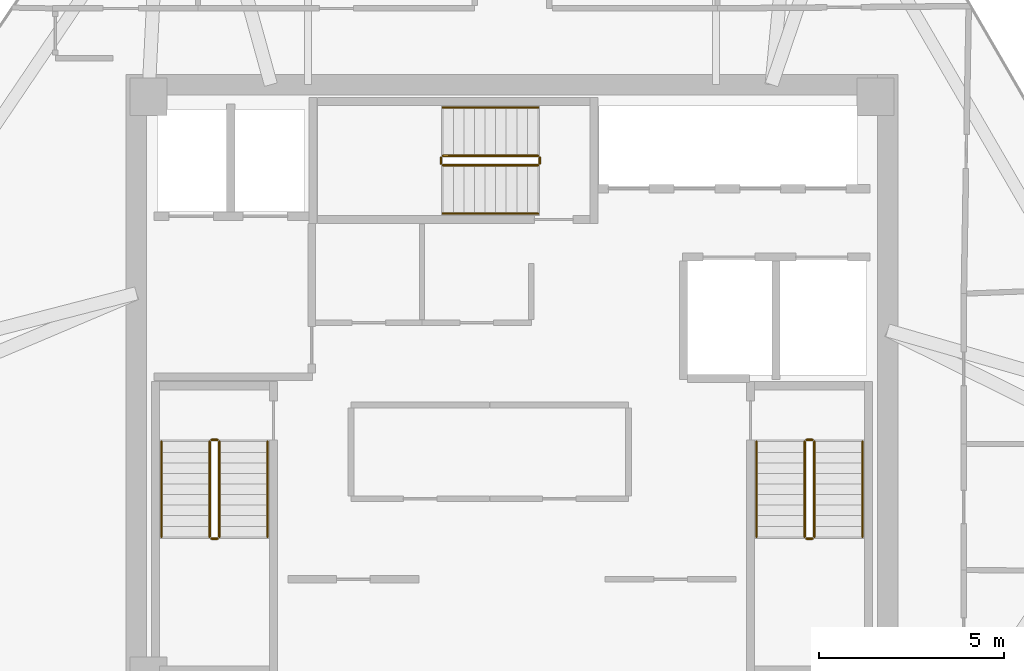
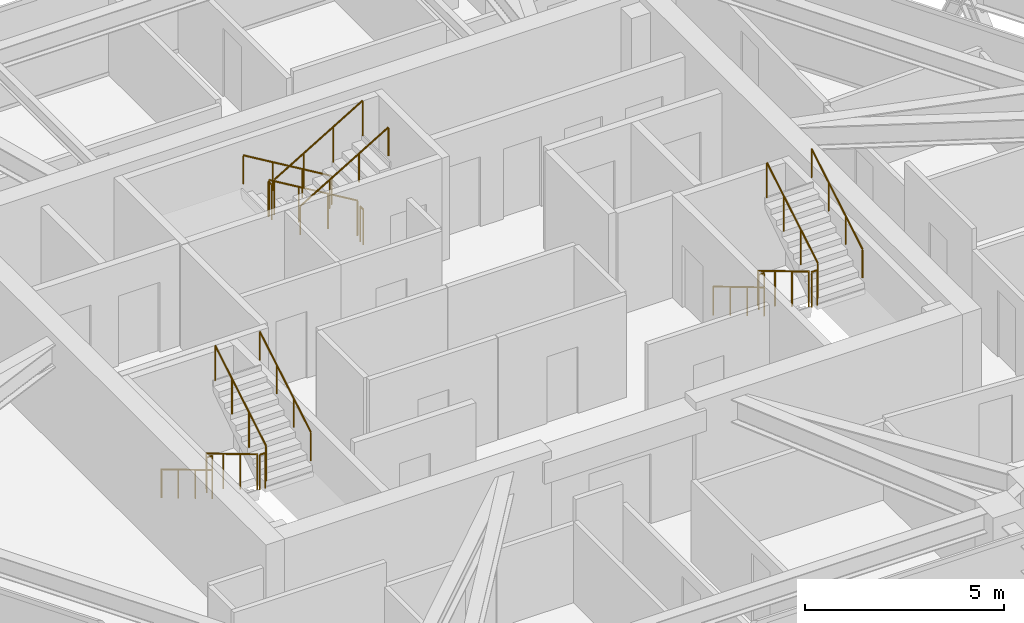
# One storey, part 13 of 13: 18 railings.
"""IFC4 building model written with IfcOpenShell, lengths in metres."""

from ifc_helpers import new_model, si_unit, direction, frame, origin, origin_2d, place, context, subcontext, project, spatial, circle, extrude, material, type_object, element, save


model = new_model("IFC4")

# Units and contexts
model_context = context("Model", 3, precision=1e-05, world=origin(), true_north=direction((0.0, 1.0)))
body_context = subcontext(model_context, "Body", "Model", "MODEL_VIEW")
ifc_project = project(units=[si_unit("LENGTHUNIT", "METRE"), si_unit("AREAUNIT", "SQUARE_METRE"), si_unit("VOLUMEUNIT", "CUBIC_METRE"), si_unit("PLANEANGLEUNIT", "RADIAN"), si_unit("MASSUNIT", "GRAM", prefix="KILO")], contexts=[model_context])

# Site, building, storey
site_placement = place(None, origin())
site = spatial("IfcSite", under=ifc_project, at=site_placement, CompositionType="ELEMENT")
building_placement = place(site_placement, origin())
building = spatial("IfcBuilding", under=site, at=building_placement, Name="Durnholm Broadcast Tower", CompositionType="ELEMENT")
storey_placement = place(building_placement, frame((0.0, 0.0, 254.699951171875)))
storey = spatial("IfcBuildingStorey", under=building, at=storey_placement, Name="L71", CompositionType="ELEMENT", Elevation=254.699951171875)

# Railings
ifc_material_1 = material(Name="Painted Tubular Steel Stair Guardrail", Category="steel")
railing_type_1 = type_object("IfcRailingType", Name="RAIL-ST-GRD", PredefinedType="GUARDRAIL", material=ifc_material_1)
railing_1_placement = place(storey_placement, frame((-8.14990234375, -1.5, 0.170166015625)))
element("IfcRailing", 1, at=railing_1_placement, inside=storey, type_object=railing_type_1, Name="L71 ST-1 stair guard 1", PredefinedType="GUARDRAIL", context=body_context, shape_type="SweptSolid", body=[
    extrude(circle(Radius=0.02392578125, at=origin_2d()), frame((0.0, 0.0, 1.076171875), z_axis=(0.0, -0.858846004692, 0.512233872587), x_axis=(1.0, 0.0, 0.0)), (0.0, 0.0, 1.0), 2.986572265625),
    extrude(circle(Radius=0.02099609375, at=origin_2d()), origin(), (0.0, 0.0, 1.0), 1.052001953125),
    extrude(circle(Radius=0.02099609375, at=origin_2d()), frame((0.0, -0.85498046875, 0.510009765625)), (0.0, 0.0, 1.0), 1.052001953125),
    extrude(circle(Radius=0.02099609375, at=origin_2d()), frame((0.0, -1.7099609375, 1.019775390625)), (0.0, 0.0, 1.0), 1.052001953125),
    extrude(circle(Radius=0.02099609375, at=origin_2d()), frame((0.0, -2.56494140625, 1.52978515625)), (0.0, 0.0, 1.0), 1.052001953125),
])
railing_2_placement = place(storey_placement, frame((-8.10009765625, -4.114990234375, 1.699951171875)))
element("IfcRailing", 2, at=railing_2_placement, inside=storey, type_object=railing_type_1, Name="L71 ST-1 stair guard 2", PredefinedType="GUARDRAIL", context=body_context, shape_type="SweptSolid", body=[
    extrude(circle(Radius=0.02392578125, at=origin_2d()), frame((0.0, 0.0, 1.076171875), z_axis=(1.0, 0.0, 0.0), x_axis=(0.0, 1.0, 0.0)), (0.0, 0.0, 1.0), 0.16015625),
    extrude(circle(Radius=0.02099609375, at=origin_2d()), origin(), (0.0, 0.0, 1.0), 1.052001953125),
    extrude(circle(Radius=0.02099609375, at=origin_2d()), frame((0.16015625, 0.0, 0.0)), (0.0, 0.0, 1.0), 1.052001953125),
])
railing_3_placement = place(storey_placement, frame((-7.889892578125, -4.06494140625, 1.8701171875)))
element("IfcRailing", 3, at=railing_3_placement, inside=storey, type_object=railing_type_1, Name="L71 ST-1 stair guard 3", PredefinedType="GUARDRAIL", context=body_context, shape_type="SweptSolid", body=[
    extrude(circle(Radius=0.02392578125, at=origin_2d()), frame((0.0, 0.0, 1.076171875), z_axis=(0.0, 0.858810040619, 0.512294167576), x_axis=(-1.0, 0.0, 0.0)), (0.0, 0.0, 1.0), 2.986572265625),
    extrude(circle(Radius=0.02099609375, at=origin_2d()), origin(), (0.0, 0.0, 1.0), 1.052001953125),
    extrude(circle(Radius=0.02099609375, at=origin_2d()), frame((0.0, 0.85498046875, 0.510009765625)), (0.0, 0.0, 1.0), 1.052001953125),
    extrude(circle(Radius=0.02099609375, at=origin_2d()), frame((0.0, 1.7099609375, 1.02001953125)), (0.0, 0.0, 1.0), 1.052001953125),
    extrude(circle(Radius=0.02099609375, at=origin_2d()), frame((0.0, 2.56494140625, 1.530029296875)), (0.0, 0.0, 1.0), 1.052001953125),
])
railing_4_placement = place(storey_placement, frame((-8.10009765625, -1.449951171875, 0.0)))
element("IfcRailing", 4, at=railing_4_placement, inside=storey, type_object=railing_type_1, Name="L71 ST-1 stair guard 4", PredefinedType="GUARDRAIL", context=body_context, shape_type="SweptSolid", body=[
    extrude(circle(Radius=0.02392578125, at=origin_2d()), frame((0.0, 0.0, 1.076171875), z_axis=(1.0, 0.0, 0.0), x_axis=(0.0, 1.0, 0.0)), (0.0, 0.0, 1.0), 0.16015625),
    extrude(circle(Radius=0.02099609375, at=origin_2d()), origin(), (0.0, 0.0, 1.0), 1.052001953125),
    extrude(circle(Radius=0.02099609375, at=origin_2d()), frame((0.16015625, 0.0, 0.0)), (0.0, 0.0, 1.0), 1.052001953125),
])
railing_5_placement = place(storey_placement, frame((7.889892578125, -1.5, 0.170166015625)))
element("IfcRailing", 5, at=railing_5_placement, inside=storey, type_object=railing_type_1, Name="L71 ST-2 stair guard 1", PredefinedType="GUARDRAIL", context=body_context, shape_type="SweptSolid", body=[
    extrude(circle(Radius=0.02392578125, at=origin_2d()), frame((0.0, 0.0, 1.076171875), z_axis=(0.0, -0.858846004692, 0.512233872587), x_axis=(1.0, 0.0, 0.0)), (0.0, 0.0, 1.0), 2.986572265625),
    extrude(circle(Radius=0.02099609375, at=origin_2d()), origin(), (0.0, 0.0, 1.0), 1.052001953125),
    extrude(circle(Radius=0.02099609375, at=origin_2d()), frame((0.0, -0.85498046875, 0.510009765625)), (0.0, 0.0, 1.0), 1.052001953125),
    extrude(circle(Radius=0.02099609375, at=origin_2d()), frame((0.0, -1.7099609375, 1.019775390625)), (0.0, 0.0, 1.0), 1.052001953125),
    extrude(circle(Radius=0.02099609375, at=origin_2d()), frame((0.0, -2.56494140625, 1.52978515625)), (0.0, 0.0, 1.0), 1.052001953125),
])
railing_6_placement = place(storey_placement, frame((7.93994140625, -4.114990234375, 1.699951171875)))
element("IfcRailing", 6, at=railing_6_placement, inside=storey, type_object=railing_type_1, Name="L71 ST-2 stair guard 2", PredefinedType="GUARDRAIL", context=body_context, shape_type="SweptSolid", body=[
    extrude(circle(Radius=0.02392578125, at=origin_2d()), frame((0.0, 0.0, 1.076171875), z_axis=(1.0, 0.0, 0.0), x_axis=(0.0, 1.0, 0.0)), (0.0, 0.0, 1.0), 0.16015625),
    extrude(circle(Radius=0.02099609375, at=origin_2d()), origin(), (0.0, 0.0, 1.0), 1.052001953125),
    extrude(circle(Radius=0.02099609375, at=origin_2d()), frame((0.16015625, 0.0, 0.0)), (0.0, 0.0, 1.0), 1.052001953125),
])
railing_7_placement = place(storey_placement, frame((8.14990234375, -4.06494140625, 1.8701171875)))
element("IfcRailing", 7, at=railing_7_placement, inside=storey, type_object=railing_type_1, Name="L71 ST-2 stair guard 3", PredefinedType="GUARDRAIL", context=body_context, shape_type="SweptSolid", body=[
    extrude(circle(Radius=0.02392578125, at=origin_2d()), frame((0.0, 0.0, 1.076171875), z_axis=(0.0, 0.858810040619, 0.512294167576), x_axis=(-1.0, 0.0, 0.0)), (0.0, 0.0, 1.0), 2.986572265625),
    extrude(circle(Radius=0.02099609375, at=origin_2d()), origin(), (0.0, 0.0, 1.0), 1.052001953125),
    extrude(circle(Radius=0.02099609375, at=origin_2d()), frame((0.0, 0.85498046875, 0.510009765625)), (0.0, 0.0, 1.0), 1.052001953125),
    extrude(circle(Radius=0.02099609375, at=origin_2d()), frame((0.0, 1.7099609375, 1.02001953125)), (0.0, 0.0, 1.0), 1.052001953125),
    extrude(circle(Radius=0.02099609375, at=origin_2d()), frame((0.0, 2.56494140625, 1.530029296875)), (0.0, 0.0, 1.0), 1.052001953125),
])
railing_8_placement = place(storey_placement, frame((7.93994140625, -1.449951171875, 0.0)))
element("IfcRailing", 8, at=railing_8_placement, inside=storey, type_object=railing_type_1, Name="L71 ST-2 stair guard 4", PredefinedType="GUARDRAIL", context=body_context, shape_type="SweptSolid", body=[
    extrude(circle(Radius=0.02392578125, at=origin_2d()), frame((0.0, 0.0, 1.076171875), z_axis=(1.0, 0.0, 0.0), x_axis=(0.0, 1.0, 0.0)), (0.0, 0.0, 1.0), 0.16015625),
    extrude(circle(Radius=0.02099609375, at=origin_2d()), origin(), (0.0, 0.0, 1.0), 1.052001953125),
    extrude(circle(Radius=0.02099609375, at=origin_2d()), frame((0.16015625, 0.0, 0.0)), (0.0, 0.0, 1.0), 1.052001953125),
])
railing_9_placement = place(storey_placement, frame((0.699951171875, 6.2099609375, 0.170166015625)))
element("IfcRailing", 9, at=railing_9_placement, inside=storey, type_object=railing_type_1, Name="L71 ST-3 stair guard 1", PredefinedType="GUARDRAIL", context=body_context, shape_type="SweptSolid", body=[
    extrude(circle(Radius=0.02392578125, at=origin_2d()), frame((0.0, 0.0, 1.076171875), z_axis=(-0.858846004692, 0.0, 0.512233872587), x_axis=(0.0, -1.0, 0.0)), (0.0, 0.0, 1.0), 2.986572265625),
    extrude(circle(Radius=0.02099609375, at=origin_2d()), origin(), (0.0, 0.0, 1.0), 1.052001953125),
    extrude(circle(Radius=0.02099609375, at=origin_2d()), frame((-0.85498046875, 0.0, 0.510009765625)), (0.0, 0.0, 1.0), 1.052001953125),
    extrude(circle(Radius=0.02099609375, at=origin_2d()), frame((-1.7099609375, 0.0, 1.019775390625)), (0.0, 0.0, 1.0), 1.052001953125),
    extrude(circle(Radius=0.02099609375, at=origin_2d()), frame((-2.56494140625, 0.0, 1.52978515625)), (0.0, 0.0, 1.0), 1.052001953125),
])
railing_10_placement = place(storey_placement, frame((-1.9150390625, 6.159912109375, 1.699951171875)))
element("IfcRailing", 10, at=railing_10_placement, inside=storey, type_object=railing_type_1, Name="L71 ST-3 stair guard 2", PredefinedType="GUARDRAIL", context=body_context, shape_type="SweptSolid", body=[
    extrude(circle(Radius=0.02392578125, at=origin_2d()), frame((0.0, 0.0, 1.076171875), z_axis=(0.0, -1.0, 0.0), x_axis=(1.0, 0.0, 0.0)), (0.0, 0.0, 1.0), 0.159912109375),
    extrude(circle(Radius=0.02099609375, at=origin_2d()), origin(), (0.0, 0.0, 1.0), 1.052001953125),
    extrude(circle(Radius=0.02099609375, at=origin_2d()), frame((0.0, -0.159912109375, 0.0)), (0.0, 0.0, 1.0), 1.052001953125),
])
railing_11_placement = place(storey_placement, frame((-1.864990234375, 5.949951171875, 1.8701171875)))
element("IfcRailing", 11, at=railing_11_placement, inside=storey, type_object=railing_type_1, Name="L71 ST-3 stair guard 3", PredefinedType="GUARDRAIL", context=body_context, shape_type="SweptSolid", body=[
    extrude(circle(Radius=0.02392578125, at=origin_2d()), frame((0.0, 0.0, 1.076171875), z_axis=(0.858810040619, 0.0, 0.512294167576), x_axis=(0.0, 1.0, 0.0)), (0.0, 0.0, 1.0), 2.986572265625),
    extrude(circle(Radius=0.02099609375, at=origin_2d()), origin(), (0.0, 0.0, 1.0), 1.052001953125),
    extrude(circle(Radius=0.02099609375, at=origin_2d()), frame((0.85498046875, 0.0, 0.510009765625)), (0.0, 0.0, 1.0), 1.052001953125),
    extrude(circle(Radius=0.02099609375, at=origin_2d()), frame((1.7099609375, 0.0, 1.02001953125)), (0.0, 0.0, 1.0), 1.052001953125),
    extrude(circle(Radius=0.02099609375, at=origin_2d()), frame((2.56494140625, 0.0, 1.530029296875)), (0.0, 0.0, 1.0), 1.052001953125),
])
railing_12_placement = place(storey_placement, frame((0.75, 6.159912109375, 0.0)))
element("IfcRailing", 12, at=railing_12_placement, inside=storey, type_object=railing_type_1, Name="L71 ST-3 stair guard 4", PredefinedType="GUARDRAIL", context=body_context, shape_type="SweptSolid", body=[
    extrude(circle(Radius=0.02392578125, at=origin_2d()), frame((0.0, 0.0, 1.076171875), z_axis=(0.0, -1.0, 0.0), x_axis=(1.0, 0.0, 0.0)), (0.0, 0.0, 1.0), 0.159912109375),
    extrude(circle(Radius=0.02099609375, at=origin_2d()), origin(), (0.0, 0.0, 1.0), 1.052001953125),
    extrude(circle(Radius=0.02099609375, at=origin_2d()), frame((0.0, -0.159912109375, 0.0)), (0.0, 0.0, 1.0), 1.052001953125),
])
ifc_material_2 = material(Name="Brushed Stainless Steel Handrail", Category="steel")
railing_type_2 = type_object("IfcRailingType", Name="RAIL-ST-HND", PredefinedType="HANDRAIL", material=ifc_material_2)
railing_13_placement = place(storey_placement, frame((-9.449951171875, -1.5, 0.340087890625)))
element("IfcRailing", 13, at=railing_13_placement, inside=storey, type_object=railing_type_2, Name="L71 ST-1 stair handrail 1", PredefinedType="HANDRAIL", context=body_context, shape_type="SweptSolid", body=[
    extrude(circle(Radius=0.02392578125, at=origin_2d()), frame((0.0, 0.0, 0.8759765625), z_axis=(0.0, -0.858810040619, 0.512294167576), x_axis=(1.0, 0.0, 0.0)), (0.0, 0.0, 1.0), 2.986572265625),
    extrude(circle(Radius=0.02099609375, at=origin_2d()), origin(), (0.0, 0.0, 1.0), 0.851806640625),
    extrude(circle(Radius=0.02099609375, at=origin_2d()), frame((0.0, -0.85498046875, 0.510009765625)), (0.0, 0.0, 1.0), 0.851806640625),
    extrude(circle(Radius=0.02099609375, at=origin_2d()), frame((0.0, -1.7099609375, 1.02001953125)), (0.0, 0.0, 1.0), 0.851806640625),
    extrude(circle(Radius=0.02099609375, at=origin_2d()), frame((0.0, -2.56494140625, 1.530029296875)), (0.0, 0.0, 1.0), 0.851806640625),
])
railing_14_placement = place(storey_placement, frame((-6.590087890625, -4.06494140625, 2.0400390625)))
element("IfcRailing", 14, at=railing_14_placement, inside=storey, type_object=railing_type_2, Name="L71 ST-1 stair handrail 2", PredefinedType="HANDRAIL", context=body_context, shape_type="SweptSolid", body=[
    extrude(circle(Radius=0.02392578125, at=origin_2d()), frame((0.0, 0.0, 0.8759765625), z_axis=(0.0, 0.858810040619, 0.512294167576), x_axis=(-1.0, 0.0, 0.0)), (0.0, 0.0, 1.0), 2.986572265625),
    extrude(circle(Radius=0.02099609375, at=origin_2d()), origin(), (0.0, 0.0, 1.0), 0.851806640625),
    extrude(circle(Radius=0.02099609375, at=origin_2d()), frame((0.0, 0.85498046875, 0.510009765625)), (0.0, 0.0, 1.0), 0.851806640625),
    extrude(circle(Radius=0.02099609375, at=origin_2d()), frame((0.0, 1.7099609375, 1.02001953125)), (0.0, 0.0, 1.0), 0.851806640625),
    extrude(circle(Radius=0.02099609375, at=origin_2d()), frame((0.0, 2.56494140625, 1.530029296875)), (0.0, 0.0, 1.0), 0.851806640625),
])
railing_15_placement = place(storey_placement, frame((6.590087890625, -1.5, 0.340087890625)))
element("IfcRailing", 15, at=railing_15_placement, inside=storey, type_object=railing_type_2, Name="L71 ST-2 stair handrail 1", PredefinedType="HANDRAIL", context=body_context, shape_type="SweptSolid", body=[
    extrude(circle(Radius=0.02392578125, at=origin_2d()), frame((0.0, 0.0, 0.8759765625), z_axis=(0.0, -0.858810040619, 0.512294167576), x_axis=(1.0, 0.0, 0.0)), (0.0, 0.0, 1.0), 2.986572265625),
    extrude(circle(Radius=0.02099609375, at=origin_2d()), origin(), (0.0, 0.0, 1.0), 0.851806640625),
    extrude(circle(Radius=0.02099609375, at=origin_2d()), frame((0.0, -0.85498046875, 0.510009765625)), (0.0, 0.0, 1.0), 0.851806640625),
    extrude(circle(Radius=0.02099609375, at=origin_2d()), frame((0.0, -1.7099609375, 1.02001953125)), (0.0, 0.0, 1.0), 0.851806640625),
    extrude(circle(Radius=0.02099609375, at=origin_2d()), frame((0.0, -2.56494140625, 1.530029296875)), (0.0, 0.0, 1.0), 0.851806640625),
])
railing_16_placement = place(storey_placement, frame((9.449951171875, -4.06494140625, 2.0400390625)))
element("IfcRailing", 16, at=railing_16_placement, inside=storey, type_object=railing_type_2, Name="L71 ST-2 stair handrail 2", PredefinedType="HANDRAIL", context=body_context, shape_type="SweptSolid", body=[
    extrude(circle(Radius=0.02392578125, at=origin_2d()), frame((0.0, 0.0, 0.8759765625), z_axis=(0.0, 0.858810040619, 0.512294167576), x_axis=(-1.0, 0.0, 0.0)), (0.0, 0.0, 1.0), 2.986572265625),
    extrude(circle(Radius=0.02099609375, at=origin_2d()), origin(), (0.0, 0.0, 1.0), 0.851806640625),
    extrude(circle(Radius=0.02099609375, at=origin_2d()), frame((0.0, 0.85498046875, 0.510009765625)), (0.0, 0.0, 1.0), 0.851806640625),
    extrude(circle(Radius=0.02099609375, at=origin_2d()), frame((0.0, 1.7099609375, 1.02001953125)), (0.0, 0.0, 1.0), 0.851806640625),
    extrude(circle(Radius=0.02099609375, at=origin_2d()), frame((0.0, 2.56494140625, 1.530029296875)), (0.0, 0.0, 1.0), 0.851806640625),
])
railing_17_placement = place(storey_placement, frame((0.699951171875, 7.510009765625, 0.340087890625)))
element("IfcRailing", 17, at=railing_17_placement, inside=storey, type_object=railing_type_2, Name="L71 ST-3 stair handrail 1", PredefinedType="HANDRAIL", context=body_context, shape_type="SweptSolid", body=[
    extrude(circle(Radius=0.02392578125, at=origin_2d()), frame((0.0, 0.0, 0.8759765625), z_axis=(-0.858810040619, 0.0, 0.512294167576), x_axis=(0.0, -1.0, 0.0)), (0.0, 0.0, 1.0), 2.986572265625),
    extrude(circle(Radius=0.02099609375, at=origin_2d()), origin(), (0.0, 0.0, 1.0), 0.851806640625),
    extrude(circle(Radius=0.02099609375, at=origin_2d()), frame((-0.85498046875, 0.0, 0.510009765625)), (0.0, 0.0, 1.0), 0.851806640625),
    extrude(circle(Radius=0.02099609375, at=origin_2d()), frame((-1.7099609375, 0.0, 1.02001953125)), (0.0, 0.0, 1.0), 0.851806640625),
    extrude(circle(Radius=0.02099609375, at=origin_2d()), frame((-2.56494140625, 0.0, 1.530029296875)), (0.0, 0.0, 1.0), 0.851806640625),
])
railing_18_placement = place(storey_placement, frame((-1.864990234375, 4.64990234375, 2.0400390625)))
element("IfcRailing", 18, at=railing_18_placement, inside=storey, type_object=railing_type_2, Name="L71 ST-3 stair handrail 2", PredefinedType="HANDRAIL", context=body_context, shape_type="SweptSolid", body=[
    extrude(circle(Radius=0.02392578125, at=origin_2d()), frame((0.0, 0.0, 0.8759765625), z_axis=(0.858810040619, 0.0, 0.512294167576), x_axis=(0.0, 1.0, 0.0)), (0.0, 0.0, 1.0), 2.986572265625),
    extrude(circle(Radius=0.02099609375, at=origin_2d()), origin(), (0.0, 0.0, 1.0), 0.851806640625),
    extrude(circle(Radius=0.02099609375, at=origin_2d()), frame((0.85498046875, 0.0, 0.510009765625)), (0.0, 0.0, 1.0), 0.851806640625),
    extrude(circle(Radius=0.02099609375, at=origin_2d()), frame((1.7099609375, 0.0, 1.02001953125)), (0.0, 0.0, 1.0), 0.851806640625),
    extrude(circle(Radius=0.02099609375, at=origin_2d()), frame((2.56494140625, 0.0, 1.530029296875)), (0.0, 0.0, 1.0), 0.851806640625),
])

save(model, "model.ifc")
